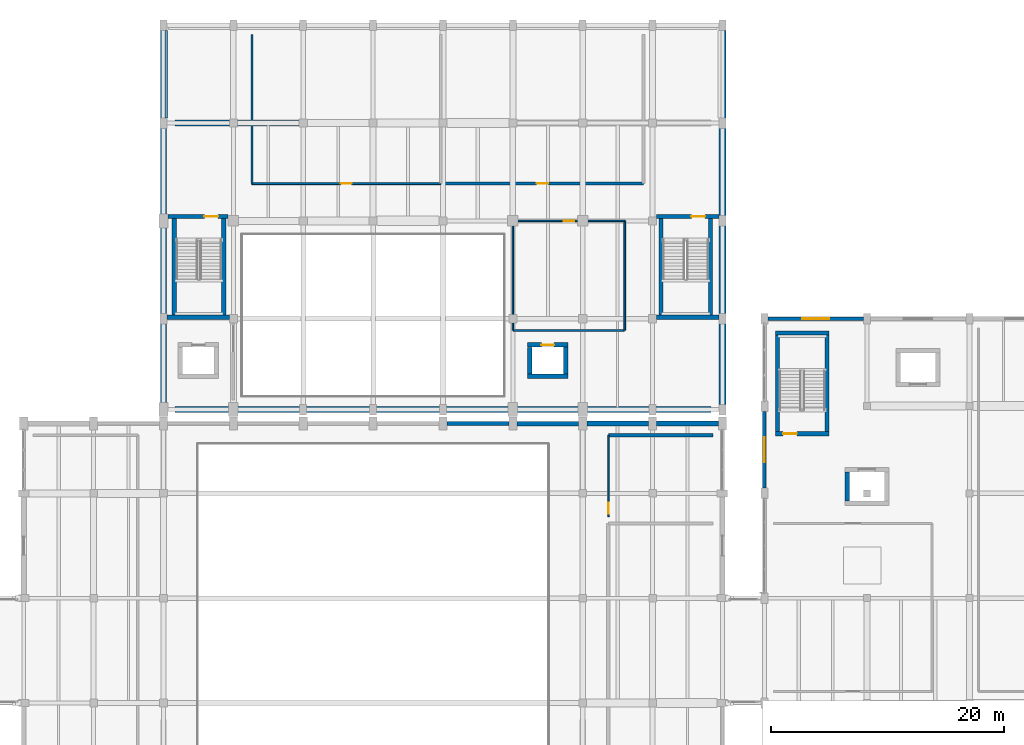
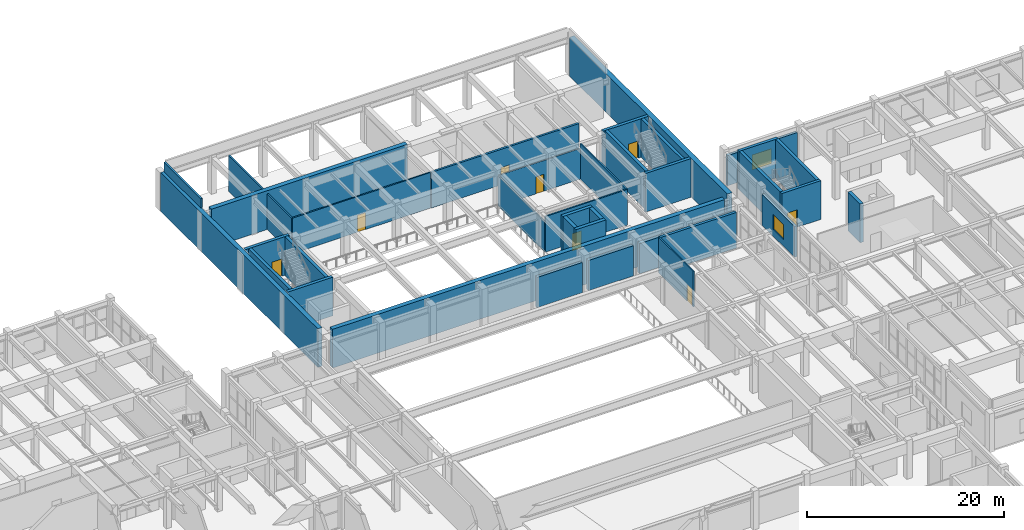
# One storey, part 65 of 85: 37 walls, 8 doors, 2 windows, 10 openings.
"""IFC4 building model written with IfcOpenShell, lengths in metres."""

from ifc_helpers import new_model, si_unit, direction, frame, frame_2d, origin, place, context, subcontext, project, spatial, rectangle, extrude, material, layer, layer_set, type_object, element, fill, save


model = new_model("IFC4")

# Units and contexts
model_context = context("Model", 3, precision=1e-05, world=origin(), true_north=direction((0.0, 1.0)))
body_context = subcontext(model_context, "Body", "Model", "MODEL_VIEW")
ifc_project = project(units=[si_unit("LENGTHUNIT", "METRE"), si_unit("AREAUNIT", "SQUARE_METRE"), si_unit("VOLUMEUNIT", "CUBIC_METRE"), si_unit("PLANEANGLEUNIT", "RADIAN"), si_unit("MASSUNIT", "GRAM", prefix="KILO")], contexts=[model_context])

# Site, building, storey
site_placement = place(None, origin())
site = spatial("IfcSite", under=ifc_project, at=site_placement, CompositionType="ELEMENT")
building_placement = place(site_placement, origin())
building = spatial("IfcBuilding", under=site, at=building_placement, Name="Vaelkrest Opera House", CompositionType="ELEMENT")
storey_placement = place(building_placement, frame((0.0, 0.0, 10.199951171875)))
storey = spatial("IfcBuildingStorey", under=building, at=storey_placement, Name="L02", CompositionType="ELEMENT", Elevation=10.199951171875)

# Wall, opening, window
ifc_material_1 = material(Name="Douglas fir glulam GL28h", Category="wood")
ifc_layer_1 = layer(ifc_material_1, 0.294921875)
ifc_layer_set_1 = layer_set([ifc_layer_1], Name="Douglas fir glulam GL28h")
wall_type_1 = type_object("IfcWallType", Name="EW03", PredefinedType="STANDARD", material=ifc_layer_set_1)
wall_1_placement = place(storey_placement, frame((33.60009765625, 10.64794921875, 0.0), z_axis=(0.0, 0.0, 1.0), x_axis=(0.0, 1.0, 0.0)))
wall_1 = element("IfcWall", 1, at=wall_1_placement, inside=storey, type_object=wall_type_1, Name="Exterior facade wall EW-V4-L02-0253", PredefinedType="STANDARD", context=body_context, shape_type="SweptSolid", body=[
    extrude(rectangle(XDim=6.60400390625, YDim=0.294921875, at=frame_2d((3.302001953125, 0.0))), origin(), (0.0, 0.0, 1.0), 3.8291015625),
])
opening_1_placement = place(wall_1_placement, frame((2.22705078125, 0.0, 0.85009765625)))
opening_1 = element("IfcOpeningElement", 2, at=opening_1_placement, cuts=wall_1, Name="Opening WN138", PredefinedType="OPENING", context=body_context, shape_type="SweptSolid", body=[
    extrude(rectangle(XDim=2.14990234375, YDim=1.85009765625, at=frame_2d((1.074951171875, 0.925048828125))), frame((0.0, 0.157470703125, 0.0), z_axis=(0.0, -1.0, 0.0), x_axis=(1.0, 0.0, 0.0)), (0.0, 0.0, 1.0), 0.31494140625),
])
ifc_material_2 = material(Name="Double low-E insulated glazing", Category="glass")
window_type_1 = type_object("IfcWindowType", Name="WT08", PartitioningType="SINGLE_PANEL", PredefinedType="WINDOW", material=ifc_material_2)
window_1_placement = place(opening_1_placement, origin())
window_1 = element("IfcWindow", 3, at=window_1_placement, inside=storey, type_object=window_type_1, Name="Facade window WN138", OverallHeight=1.85009765625, OverallWidth=2.14990234375, PartitioningType="SINGLE_PANEL", PredefinedType="WINDOW", context=body_context, shape_type="SweptSolid", body=[
    extrude(rectangle(XDim=2.14990234375, YDim=1.85009765625, at=frame_2d((1.074951171875, 0.925048828125))), frame((0.0, 0.030029296875, 0.0), z_axis=(0.0, -1.0, 0.0), x_axis=(1.0, 0.0, 0.0)), (0.0, 0.0, 1.0), 0.06005859375),
])
fill(opening_1, window_1)

ifc_material_3 = material(Name="American black walnut acoustic timber", Category="wood")
ifc_layer_2 = layer(ifc_material_3, 0.31494140625)
ifc_layer_set_2 = layer_set([ifc_layer_2], Name="American black walnut acoustic timber")
wall_type_2 = type_object("IfcWallType", Name="EW04", PredefinedType="STANDARD", material=ifc_layer_set_2)
wall_2_placement = place(storey_placement, frame((33.89794921875, 25.199951171875, 0.0), z_axis=(0.0, 0.0, 1.0), x_axis=(1.0, 0.0, 0.0)))
wall_2 = element("IfcWall", 4, at=wall_2_placement, inside=storey, type_object=wall_type_2, Name="Exterior facade wall EW-V4-L02-0254", PredefinedType="STANDARD", context=body_context, shape_type="SweptSolid", body=[
    extrude(rectangle(XDim=8.2041015625, YDim=0.31494140625, at=frame_2d((4.10205078125, 0.0))), origin(), (0.0, 0.0, 1.0), 3.7451171875),
])
opening_2_placement = place(wall_2_placement, frame((2.951904296875, 0.0, 0.85009765625)))
opening_2 = element("IfcOpeningElement", 5, at=opening_2_placement, cuts=wall_2, Name="Opening WN139", PredefinedType="OPENING", context=body_context, shape_type="SweptSolid", body=[
    extrude(rectangle(XDim=2.300048828125, YDim=1.85009765625, at=frame_2d((1.14990234375, 0.925048828125))), frame((0.0, 0.16748046875, 0.0), z_axis=(0.0, -1.0, 0.0), x_axis=(1.0, 0.0, 0.0)), (0.0, 0.0, 1.0), 0.3349609375),
])
window_type_2 = type_object("IfcWindowType", Name="WT09", PartitioningType="SINGLE_PANEL", PredefinedType="WINDOW", material=ifc_material_2)
window_2_placement = place(opening_2_placement, origin())
window_2 = element("IfcWindow", 6, at=window_2_placement, inside=storey, type_object=window_type_2, Name="Facade window WN139", OverallHeight=1.85009765625, OverallWidth=2.300048828125, PartitioningType="SINGLE_PANEL", PredefinedType="WINDOW", context=body_context, shape_type="SweptSolid", body=[
    extrude(rectangle(XDim=2.300048828125, YDim=1.85009765625, at=frame_2d((1.14990234375, 0.925048828125))), frame((0.0, 0.030029296875, 0.0), z_axis=(0.0, -1.0, 0.0), x_axis=(1.0, 0.0, 0.0)), (0.0, 0.0, 1.0), 0.06005859375),
])
fill(opening_2, window_2)

# Walls
ifc_layer_3 = layer(ifc_material_3, 0.360107421875)
ifc_layer_set_3 = layer_set([ifc_layer_3], Name="American black walnut acoustic timber")
wall_type_3 = type_object("IfcWallType", Name="EW06", PredefinedType="STANDARD", material=ifc_layer_set_3)
wall_3_placement = place(storey_placement, frame((6.347900390625, 16.199951171875, 0.0), z_axis=(0.0, 0.0, 1.0), x_axis=(1.0, 0.0, 0.0)))
element("IfcWall", 7, at=wall_3_placement, inside=storey, type_object=wall_type_3, Name="Exterior facade wall EW-V1-L02-0066", PredefinedType="STANDARD", context=body_context, shape_type="SweptSolid", body=[
    extrude(rectangle(XDim=5.30419921875, YDim=0.360107421875, at=frame_2d((2.652099609375, 0.0))), origin(), (0.0, 0.0, 1.0), 3.7451171875),
])
ifc_material_4 = material(Name="Concrete C40/50", Category="concrete")
ifc_layer_4 = layer(ifc_material_4, 0.385009765625)
ifc_layer_set_4 = layer_set([ifc_layer_4], Name="Concrete C40/50")
wall_type_4 = type_object("IfcWallType", Name="EW07", PredefinedType="STANDARD", material=ifc_layer_set_4)
wall_4_placement = place(storey_placement, frame((12.347900390625, 16.199951171875, 0.0), z_axis=(0.0, 0.0, 1.0), x_axis=(1.0, 0.0, 0.0)))
element("IfcWall", 8, at=wall_4_placement, inside=storey, type_object=wall_type_4, Name="Exterior facade wall EW-V1-L02-0067", PredefinedType="STANDARD", context=body_context, shape_type="SweptSolid", body=[
    extrude(rectangle(XDim=5.30419921875, YDim=0.385009765625, at=frame_2d((2.652099609375, 0.0))), origin(), (0.0, 0.0, 1.0), 3.7451171875),
])
ifc_layer_5 = layer(ifc_material_4, 0.409912109375)
ifc_layer_set_5 = layer_set([ifc_layer_5], Name="Concrete C40/50")
wall_type_5 = type_object("IfcWallType", Name="EW08", PredefinedType="STANDARD", material=ifc_layer_set_5)
wall_5_placement = place(storey_placement, frame((18.347900390625, 16.199951171875, 0.0), z_axis=(0.0, 0.0, 1.0), x_axis=(1.0, 0.0, 0.0)))
element("IfcWall", 9, at=wall_5_placement, inside=storey, type_object=wall_type_5, Name="Exterior facade wall EW-V1-L02-0068", PredefinedType="STANDARD", context=body_context, shape_type="SweptSolid", body=[
    extrude(rectangle(XDim=5.30419921875, YDim=0.409912109375, at=frame_2d((2.652099609375, 0.0))), origin(), (0.0, 0.0, 1.0), 3.7451171875),
])
ifc_layer_6 = layer(ifc_material_4, 0.43505859375)
ifc_layer_set_6 = layer_set([ifc_layer_6], Name="Concrete C40/50")
wall_type_6 = type_object("IfcWallType", Name="EW09", PredefinedType="STANDARD", material=ifc_layer_set_6)
wall_6_placement = place(storey_placement, frame((24.347900390625, 16.199951171875, 0.0), z_axis=(0.0, 0.0, 1.0), x_axis=(1.0, 0.0, 0.0)))
element("IfcWall", 10, at=wall_6_placement, inside=storey, type_object=wall_type_6, Name="Exterior facade wall EW-V1-L02-0069", PredefinedType="STANDARD", context=body_context, shape_type="SweptSolid", body=[
    extrude(rectangle(XDim=5.30419921875, YDim=0.43505859375, at=frame_2d((2.652099609375, 0.0))), origin(), (0.0, 0.0, 1.0), 3.7451171875),
])
ifc_layer_7 = layer(ifc_material_4, 0.22998046875)
ifc_layer_set_7 = layer_set([ifc_layer_7], Name="Concrete C40/50")
wall_type_7 = type_object("IfcWallType", Name="PP02", PredefinedType="PARAPET", material=ifc_layer_set_7)
wall_7_placement = place(storey_placement, frame((-17.75, 49.949951171875, 4.800048828125), z_axis=(0.0, 0.0, 1.0), x_axis=(0.0, -1.0, 0.0)))
element("IfcWall", 11, at=wall_7_placement, inside=storey, type_object=wall_type_7, Name="Roof parapet 22", PredefinedType="PARAPET", context=body_context, shape_type="SweptSolid", body=[
    extrude(rectangle(XDim=7.5, YDim=0.22998046875, at=frame_2d((3.75, 0.0))), origin(), (0.0, 0.0, 1.0), 1.14990234375),
])

# Wall, opening, door
ifc_material_5 = material(Name="Gypsum acoustic board", Category="gypsum")
ifc_layer_8 = layer(ifc_material_5, 0.1201171875)
ifc_layer_set_8 = layer_set([ifc_layer_8], Name="Gypsum acoustic board")
wall_type_8 = type_object("IfcWallType", Name="PT01", PredefinedType="PARTITIONING", material=ifc_layer_set_8)
wall_8_placement = place(storey_placement, frame((12.0, 33.60009765625, 0.0), z_axis=(0.0, 0.0, 1.0), x_axis=(1.0, 0.0, 0.0)))
wall_8 = element("IfcWall", 12, at=wall_8_placement, inside=storey, type_object=wall_type_8, Name="Interior partition PT-V2-L02-0197", PredefinedType="PARTITIONING", context=body_context, shape_type="SweptSolid", body=[
    extrude(rectangle(XDim=9.60009765625, YDim=0.1201171875, at=frame_2d((4.800048828125, 0.0))), origin(), (0.0, 0.0, 1.0), 3.81201171875),
])
opening_3_placement = place(wall_8_placement, frame((4.35009765625, 0.0, 0.0)))
opening_3 = element("IfcOpeningElement", 13, at=opening_3_placement, cuts=wall_8, Name="Opening D076", PredefinedType="OPENING", context=body_context, shape_type="SweptSolid", body=[
    extrude(rectangle(XDim=0.89990234375, YDim=2.10009765625, at=frame_2d((0.449951171875, 1.050048828125))), frame((0.0, 0.070068359375, 0.0), z_axis=(0.0, -1.0, 0.0), x_axis=(1.0, 0.0, 0.0)), (0.0, 0.0, 1.0), 0.14013671875),
])
door_type_1 = type_object("IfcDoorType", Name="DT01", OperationType="NOTDEFINED", PredefinedType="DOOR", material=ifc_material_3)
door_1_placement = place(opening_3_placement, origin())
door_1 = element("IfcDoor", 14, at=door_1_placement, inside=storey, type_object=door_type_1, Name="Interior door D076 (Lighting Bridge)", OperationType="SINGLE_SWING_RIGHT", OverallHeight=2.10009765625, OverallWidth=0.89990234375, PredefinedType="DOOR", context=body_context, shape_type="SweptSolid", body=[
    extrude(rectangle(XDim=0.89990234375, YDim=2.10009765625, at=frame_2d((0.449951171875, 1.050048828125))), frame((0.0, 0.02490234375, 0.0), z_axis=(0.0, -1.0, 0.0), x_axis=(1.0, 0.0, 0.0)), (0.0, 0.0, 1.0), 0.050048828125),
])
fill(opening_3, door_1)

# Walls
ifc_layer_9 = layer(ifc_material_5, 0.135009765625)
ifc_layer_set_9 = layer_set([ifc_layer_9], Name="Gypsum acoustic board")
wall_type_9 = type_object("IfcWallType", Name="PT02", PredefinedType="PARTITIONING", material=ifc_layer_set_9)
wall_9_placement = place(storey_placement, frame((12.0, 24.199951171875, 0.0), z_axis=(0.0, 0.0, 1.0), x_axis=(0.0, 1.0, 0.0)))
element("IfcWall", 15, at=wall_9_placement, inside=storey, type_object=wall_type_9, Name="Interior partition PT-V2-L02-0198", PredefinedType="PARTITIONING", context=body_context, shape_type="SweptSolid", body=[
    extrude(rectangle(XDim=9.400146484375, YDim=0.135009765625, at=frame_2d((4.7001953125, 0.0))), origin(), (0.0, 0.0, 1.0), 3.734130859375),
])
ifc_layer_10 = layer(ifc_material_5, 0.14990234375)
ifc_layer_set_10 = layer_set([ifc_layer_10], Name="Gypsum acoustic board")
wall_type_10 = type_object("IfcWallType", Name="PT03", PredefinedType="PARTITIONING", material=ifc_layer_set_10)
wall_10_placement = place(storey_placement, frame((21.60009765625, 24.199951171875, 0.0), z_axis=(0.0, 0.0, 1.0), x_axis=(0.0, 1.0, 0.0)))
element("IfcWall", 16, at=wall_10_placement, inside=storey, type_object=wall_type_10, Name="Interior partition PT-V2-L02-0199", PredefinedType="PARTITIONING", context=body_context, shape_type="SweptSolid", body=[
    extrude(rectangle(XDim=9.400146484375, YDim=0.14990234375, at=frame_2d((4.7001953125, 0.0))), origin(), (0.0, 0.0, 1.0), 4.420166015625),
])

# Wall, opening, door
ifc_layer_11 = layer(ifc_material_5, 0.1650390625)
ifc_layer_set_11 = layer_set([ifc_layer_11], Name="Gypsum acoustic board")
wall_type_11 = type_object("IfcWallType", Name="PT04", PredefinedType="PARTITIONING", material=ifc_layer_set_11)
wall_11_placement = place(storey_placement, frame((-10.39990234375, 36.800048828125, 0.0), z_axis=(0.0, 0.0, 1.0), x_axis=(1.0, 0.0, 0.0)))
wall_11 = element("IfcWall", 17, at=wall_11_placement, inside=storey, type_object=wall_type_11, Name="Interior partition PT-V2-L02-0200", PredefinedType="PARTITIONING", context=body_context, shape_type="SweptSolid", body=[
    extrude(rectangle(XDim=16.199951171875, YDim=0.1650390625, at=frame_2d((8.10009765625, 0.0))), origin(), (0.0, 0.0, 1.0), 4.420166015625),
])
opening_4_placement = place(wall_11_placement, frame((7.6298828125, 0.0, 0.0)))
opening_4 = element("IfcOpeningElement", 18, at=opening_4_placement, cuts=wall_11, Name="Opening D077", PredefinedType="OPENING", context=body_context, shape_type="SweptSolid", body=[
    extrude(rectangle(XDim=0.93994140625, YDim=2.10009765625, at=frame_2d((0.469970703125, 1.050048828125))), frame((0.0, 0.092529296875, 0.0), z_axis=(0.0, -1.0, 0.0), x_axis=(1.0, 0.0, 0.0)), (0.0, 0.0, 1.0), 0.18505859375),
])
door_type_2 = type_object("IfcDoorType", Name="DT02", OperationType="NOTDEFINED", PredefinedType="DOOR", material=ifc_material_3)
door_2_placement = place(opening_4_placement, origin())
door_2 = element("IfcDoor", 19, at=door_2_placement, inside=storey, type_object=door_type_2, Name="Interior door D077 (Rigging Control Room)", OperationType="SINGLE_SWING_LEFT", OverallHeight=2.10009765625, OverallWidth=0.93994140625, PredefinedType="DOOR", context=body_context, shape_type="SweptSolid", body=[
    extrude(rectangle(XDim=0.93994140625, YDim=2.10009765625, at=frame_2d((0.469970703125, 1.050048828125))), frame((0.0, 0.02490234375, 0.0), z_axis=(0.0, -1.0, 0.0), x_axis=(1.0, 0.0, 0.0)), (0.0, 0.0, 1.0), 0.050048828125),
])
fill(opening_4, door_2)

# Wall
ifc_layer_12 = layer(ifc_material_5, 0.179931640625)
ifc_layer_set_12 = layer_set([ifc_layer_12], Name="Gypsum acoustic board")
wall_type_12 = type_object("IfcWallType", Name="PT05", PredefinedType="PARTITIONING", material=ifc_layer_set_12)
wall_12_placement = place(storey_placement, frame((-10.39990234375, 36.800048828125, 0.0), z_axis=(0.0, 0.0, 1.0), x_axis=(0.0, 1.0, 0.0)))
element("IfcWall", 20, at=wall_12_placement, inside=storey, type_object=wall_type_12, Name="Interior partition PT-V2-L02-0201", PredefinedType="PARTITIONING", context=body_context, shape_type="SweptSolid", body=[
    extrude(rectangle(XDim=12.800048828125, YDim=0.179931640625, at=frame_2d((6.39990234375, 0.0))), origin(), (0.0, 0.0, 1.0), 4.420166015625),
])

# Wall, opening, door
ifc_layer_13 = layer(ifc_material_4, 0.239990234375)
ifc_layer_set_13 = layer_set([ifc_layer_13], Name="Concrete C40/50")
wall_type_13 = type_object("IfcWallType", Name="PT09", PredefinedType="PARTITIONING", material=ifc_layer_set_13)
wall_13_placement = place(storey_placement, frame((5.8798828125, 36.800048828125, 0.0), z_axis=(0.0, 0.0, 1.0), x_axis=(1.0, 0.0, 0.0)))
wall_13 = element("IfcWall", 21, at=wall_13_placement, inside=storey, type_object=wall_type_13, Name="Interior partition PT-V2-L02-0203", PredefinedType="PARTITIONING", context=body_context, shape_type="SweptSolid", body=[
    extrude(rectangle(XDim=17.320068359375, YDim=0.239990234375, at=frame_2d((8.66015625, 0.0))), origin(), (0.0, 0.0, 1.0), 4.420166015625),
])
opening_5_placement = place(wall_13_placement, frame((8.169921875, 0.0, 0.0)))
opening_5 = element("IfcOpeningElement", 22, at=opening_5_placement, cuts=wall_13, Name="Opening D078", PredefinedType="OPENING", context=body_context, shape_type="SweptSolid", body=[
    extrude(rectangle(XDim=0.97998046875, YDim=2.14990234375, at=frame_2d((0.489990234375, 1.074951171875))), frame((0.0, 0.1298828125, 0.0), z_axis=(0.0, -1.0, 0.0), x_axis=(1.0, 0.0, 0.0)), (0.0, 0.0, 1.0), 0.260009765625),
])
door_type_3 = type_object("IfcDoorType", Name="DT03", OperationType="NOTDEFINED", PredefinedType="DOOR", material=ifc_material_3)
door_3_placement = place(opening_5_placement, origin())
door_3 = element("IfcDoor", 23, at=door_3_placement, inside=storey, type_object=door_type_3, Name="Interior door D078 (Scenery Store)", OperationType="SINGLE_SWING_RIGHT", OverallHeight=2.14990234375, OverallWidth=0.97998046875, PredefinedType="DOOR", context=body_context, shape_type="SweptSolid", body=[
    extrude(rectangle(XDim=0.97998046875, YDim=2.14990234375, at=frame_2d((0.489990234375, 1.074951171875))), frame((0.0, 0.02490234375, 0.0), z_axis=(0.0, -1.0, 0.0), x_axis=(1.0, 0.0, 0.0)), (0.0, 0.0, 1.0), 0.050048828125),
])
fill(opening_5, door_3)

# Wall
ifc_layer_14 = layer(ifc_material_4, 0.304931640625)
ifc_layer_set_14 = layer_set([ifc_layer_14], Name="Concrete C40/50")
wall_type_14 = type_object("IfcWallType", Name="PT12", PredefinedType="PARTITIONING", material=ifc_layer_set_14)
wall_14_placement = place(storey_placement, frame((20.199951171875, 15.199951171875, 0.0), z_axis=(0.0, 0.0, 1.0), x_axis=(1.0, 0.0, 0.0)))
element("IfcWall", 24, at=wall_14_placement, inside=storey, type_object=wall_type_14, Name="Interior partition PT-V1-L02-0082", PredefinedType="PARTITIONING", context=body_context, shape_type="SweptSolid", body=[
    extrude(rectangle(XDim=9.0, YDim=0.304931640625, at=frame_2d((4.5, 0.0))), origin(), (0.0, 0.0, 1.0), 4.420166015625),
])

# Wall, opening, door
ifc_layer_15 = layer(ifc_material_5, 0.14501953125)
ifc_layer_set_15 = layer_set([ifc_layer_15], Name="Gypsum acoustic board")
wall_type_15 = type_object("IfcWallType", Name="PT13", PredefinedType="PARTITIONING", material=ifc_layer_set_15)
wall_15_placement = place(storey_placement, frame((20.199951171875, 8.199951171875, 0.0), z_axis=(0.0, 0.0, 1.0), x_axis=(0.0, 1.0, 0.0)))
wall_15 = element("IfcWall", 25, at=wall_15_placement, inside=storey, type_object=wall_type_15, Name="Interior partition PT-V1-L02-0083", PredefinedType="PARTITIONING", context=body_context, shape_type="SweptSolid", body=[
    extrude(rectangle(XDim=7.0, YDim=0.14501953125, at=frame_2d((3.5, 0.0))), origin(), (0.0, 0.0, 1.0), 4.420166015625),
])
opening_6_placement = place(wall_15_placement, frame((0.25, 0.0, 0.0)))
opening_6 = element("IfcOpeningElement", 26, at=opening_6_placement, cuts=wall_15, Name="Opening D032", PredefinedType="OPENING", context=body_context, shape_type="SweptSolid", body=[
    extrude(rectangle(XDim=0.93994140625, YDim=2.10009765625, at=frame_2d((0.469970703125, 1.050048828125))), frame((0.0, 0.08251953125, 0.0), z_axis=(0.0, -1.0, 0.0), x_axis=(1.0, 0.0, 0.0)), (0.0, 0.0, 1.0), 0.1650390625),
])
door_4_placement = place(opening_6_placement, origin())
door_4 = element("IfcDoor", 27, at=door_4_placement, inside=storey, type_object=door_type_2, Name="Interior door D032 (Accessible Washroom)", OperationType="SINGLE_SWING_RIGHT", OverallHeight=2.10009765625, OverallWidth=0.93994140625, PredefinedType="DOOR", context=body_context, shape_type="SweptSolid", body=[
    extrude(rectangle(XDim=0.93994140625, YDim=2.10009765625, at=frame_2d((0.469970703125, 1.050048828125))), frame((0.0, 0.02490234375, 0.0), z_axis=(0.0, -1.0, 0.0), x_axis=(1.0, 0.0, 0.0)), (0.0, 0.0, 1.0), 0.050048828125),
])
fill(opening_6, door_4)

# Walls
ifc_layer_16 = layer(ifc_material_3, 0.175048828125)
ifc_layer_set_16 = layer_set([ifc_layer_16], Name="American black walnut acoustic timber")
wall_type_16 = type_object("IfcWallType", Name="PT14", PredefinedType="PARTITIONING", material=ifc_layer_set_16)
wall_16_placement = place(storey_placement, frame((12.0, 24.199951171875, 0.0), z_axis=(0.0, 0.0, 1.0), x_axis=(1.0, 0.0, 0.0)))
element("IfcWall", 28, at=wall_16_placement, inside=storey, type_object=wall_type_16, Name="Interior partition PT-V2-L02-0196", PredefinedType="PARTITIONING", context=body_context, shape_type="SweptSolid", body=[
    extrude(rectangle(XDim=9.60009765625, YDim=0.175048828125, at=frame_2d((4.800048828125, 0.0))), origin(), (0.0, 0.0, 1.0), 4.420166015625),
])
ifc_material_6 = material(Name="Concrete C50/60", Category="concrete")
ifc_layer_17 = layer(ifc_material_6, 0.35009765625)
ifc_layer_set_17 = layer_set([ifc_layer_17], Name="Concrete C50/60")
wall_type_17 = type_object("IfcWallType", Name="SW01", PredefinedType="SHEAR", material=ifc_layer_set_17)
wall_17_placement = place(storey_placement, frame((-12.35009765625, 25.324951171875, 0.0), z_axis=(0.0, 0.0, 1.0), x_axis=(-1.0, 0.0, 0.0)))
element("IfcWall", 29, at=wall_17_placement, inside=storey, type_object=wall_type_17, Name="Stair core ST05 wall L02 S", PredefinedType="SHEAR", context=body_context, shape_type="SweptSolid", body=[
    extrude(rectangle(XDim=5.349853515625, YDim=0.35009765625, at=frame_2d((2.6748046875, 0.0))), origin(), (0.0, 0.0, 1.0), 4.800048828125),
])
wall_18_placement = place(storey_placement, frame((-17.074951171875, 25.5, 0.0), z_axis=(0.0, 0.0, 1.0), x_axis=(0.0, 1.0, 0.0)))
element("IfcWall", 30, at=wall_18_placement, inside=storey, type_object=wall_type_17, Name="Stair core ST05 wall L02 W", PredefinedType="SHEAR", context=body_context, shape_type="SweptSolid", body=[
    extrude(rectangle(XDim=8.300048828125, YDim=0.35009765625, at=frame_2d((4.14990234375, 0.0))), origin(), (0.0, 0.0, 1.0), 4.800048828125),
])

# Wall, opening, door
wall_19_placement = place(storey_placement, frame((-17.60009765625, 33.97509765625, 0.0), z_axis=(0.0, 0.0, 1.0), x_axis=(1.0, 0.0, 0.0)))
wall_19 = element("IfcWall", 31, at=wall_19_placement, inside=storey, type_object=wall_type_17, Name="Stair core ST05 wall L02 N", PredefinedType="SHEAR", context=body_context, shape_type="SweptSolid", body=[
    extrude(rectangle(XDim=5.150146484375, YDim=0.35009765625, at=frame_2d((2.5751953125, 0.0))), origin(), (0.0, 0.0, 1.0), 4.800048828125),
])
opening_7_placement = place(wall_19_placement, frame((3.1201171875, 0.0, 0.0)))
opening_7 = element("IfcOpeningElement", 32, at=opening_7_placement, cuts=wall_19, Name="Opening SD-ST05-L02", PredefinedType="OPENING", context=body_context, shape_type="SweptSolid", body=[
    extrude(rectangle(XDim=1.179931640625, YDim=2.14990234375, at=frame_2d((0.58984375, 1.074951171875))), frame((0.0, 0.18505859375, 0.0), z_axis=(0.0, -1.0, 0.0), x_axis=(1.0, 0.0, 0.0)), (0.0, 0.0, 1.0), 0.3701171875),
])
door_type_4 = type_object("IfcDoorType", Name="DT07", OperationType="NOTDEFINED", PredefinedType="DOOR", material=ifc_material_3)
door_5_placement = place(opening_7_placement, origin())
door_5 = element("IfcDoor", 33, at=door_5_placement, inside=storey, type_object=door_type_4, Name="Protected stair door SD-ST05-L02", OperationType="SINGLE_SWING_LEFT", OverallHeight=2.14990234375, OverallWidth=1.179931640625, PredefinedType="DOOR", context=body_context, shape_type="SweptSolid", body=[
    extrude(rectangle(XDim=1.179931640625, YDim=2.14990234375, at=frame_2d((0.58984375, 1.074951171875))), frame((0.0, 0.02490234375, 0.0), z_axis=(0.0, -1.0, 0.0), x_axis=(1.0, 0.0, 0.0)), (0.0, 0.0, 1.0), 0.050048828125),
])
fill(opening_7, door_5)

# Walls
wall_20_placement = place(storey_placement, frame((-12.824951171875, 33.800048828125, 0.0), z_axis=(0.0, 0.0, 1.0), x_axis=(0.0, -1.0, 0.0)))
element("IfcWall", 34, at=wall_20_placement, inside=storey, type_object=wall_type_17, Name="Stair core ST05 wall L02 E", PredefinedType="SHEAR", context=body_context, shape_type="SweptSolid", body=[
    extrude(rectangle(XDim=8.300048828125, YDim=0.35009765625, at=frame_2d((4.14990234375, 0.0))), origin(), (0.0, 0.0, 1.0), 4.800048828125),
])
wall_21_placement = place(storey_placement, frame((29.699951171875, 25.324951171875, 0.0), z_axis=(0.0, 0.0, 1.0), x_axis=(-1.0, 0.0, 0.0)))
element("IfcWall", 35, at=wall_21_placement, inside=storey, type_object=wall_type_17, Name="Stair core ST06 wall L02 S", PredefinedType="SHEAR", context=body_context, shape_type="SweptSolid", body=[
    extrude(rectangle(XDim=5.349853515625, YDim=0.35009765625, at=frame_2d((2.6748046875, 0.0))), origin(), (0.0, 0.0, 1.0), 4.800048828125),
])
wall_22_placement = place(storey_placement, frame((24.72509765625, 25.5, 0.0), z_axis=(0.0, 0.0, 1.0), x_axis=(0.0, 1.0, 0.0)))
element("IfcWall", 36, at=wall_22_placement, inside=storey, type_object=wall_type_17, Name="Stair core ST06 wall L02 W", PredefinedType="SHEAR", context=body_context, shape_type="SweptSolid", body=[
    extrude(rectangle(XDim=8.300048828125, YDim=0.35009765625, at=frame_2d((4.14990234375, 0.0))), origin(), (0.0, 0.0, 1.0), 4.800048828125),
])

# Wall, opening, door
wall_23_placement = place(storey_placement, frame((24.35009765625, 33.97509765625, 0.0), z_axis=(0.0, 0.0, 1.0), x_axis=(1.0, 0.0, 0.0)))
wall_23 = element("IfcWall", 37, at=wall_23_placement, inside=storey, type_object=wall_type_17, Name="Stair core ST06 wall L02 N", PredefinedType="SHEAR", context=body_context, shape_type="SweptSolid", body=[
    extrude(rectangle(XDim=5.349853515625, YDim=0.35009765625, at=frame_2d((2.6748046875, 0.0))), origin(), (0.0, 0.0, 1.0), 4.800048828125),
])
opening_8_placement = place(wall_23_placement, frame((2.969970703125, 0.0, 0.0)))
opening_8 = element("IfcOpeningElement", 38, at=opening_8_placement, cuts=wall_23, Name="Opening SD-ST06-L02", PredefinedType="OPENING", context=body_context, shape_type="SweptSolid", body=[
    extrude(rectangle(XDim=1.179931640625, YDim=2.14990234375, at=frame_2d((0.58984375, 1.074951171875))), frame((0.0, 0.18505859375, 0.0), z_axis=(0.0, -1.0, 0.0), x_axis=(1.0, 0.0, 0.0)), (0.0, 0.0, 1.0), 0.3701171875),
])
door_6_placement = place(opening_8_placement, origin())
door_6 = element("IfcDoor", 39, at=door_6_placement, inside=storey, type_object=door_type_4, Name="Protected stair door SD-ST06-L02", OperationType="SINGLE_SWING_RIGHT", OverallHeight=2.14990234375, OverallWidth=1.179931640625, PredefinedType="DOOR", context=body_context, shape_type="SweptSolid", body=[
    extrude(rectangle(XDim=1.179931640625, YDim=2.14990234375, at=frame_2d((0.58984375, 1.074951171875))), frame((0.0, 0.02490234375, 0.0), z_axis=(0.0, -1.0, 0.0), x_axis=(1.0, 0.0, 0.0)), (0.0, 0.0, 1.0), 0.050048828125),
])
fill(opening_8, door_6)

# Wall
wall_24_placement = place(storey_placement, frame((28.97509765625, 33.800048828125, 0.0), z_axis=(0.0, 0.0, 1.0), x_axis=(0.0, -1.0, 0.0)))
element("IfcWall", 40, at=wall_24_placement, inside=storey, type_object=wall_type_17, Name="Stair core ST06 wall L02 E", PredefinedType="SHEAR", context=body_context, shape_type="SweptSolid", body=[
    extrude(rectangle(XDim=8.300048828125, YDim=0.35009765625, at=frame_2d((4.14990234375, 0.0))), origin(), (0.0, 0.0, 1.0), 4.800048828125),
])

# Wall, opening, door
wall_25_placement = place(storey_placement, frame((39.14990234375, 15.324951171875, 0.0), z_axis=(0.0, 0.0, 1.0), x_axis=(-1.0, 0.0, 0.0)))
wall_25 = element("IfcWall", 41, at=wall_25_placement, inside=storey, type_object=wall_type_17, Name="Stair core ST09 wall L02 S", PredefinedType="SHEAR", context=body_context, shape_type="SweptSolid", body=[
    extrude(rectangle(XDim=4.599853515625, YDim=0.35009765625, at=frame_2d((2.2998046875, 0.0))), origin(), (0.0, 0.0, 1.0), 4.800048828125),
])
opening_9_placement = place(wall_25_placement, frame((2.77001953125, 0.0, 0.0)))
opening_9 = element("IfcOpeningElement", 42, at=opening_9_placement, cuts=wall_25, Name="Opening SD-ST09-L02", PredefinedType="OPENING", context=body_context, shape_type="SweptSolid", body=[
    extrude(rectangle(XDim=1.179931640625, YDim=2.14990234375, at=frame_2d((0.58984375, 1.074951171875))), frame((0.0, 0.18505859375, 0.0), z_axis=(0.0, -1.0, 0.0), x_axis=(1.0, 0.0, 0.0)), (0.0, 0.0, 1.0), 0.3701171875),
])
door_7_placement = place(opening_9_placement, origin())
door_7 = element("IfcDoor", 43, at=door_7_placement, inside=storey, type_object=door_type_4, Name="Protected stair door SD-ST09-L02", OperationType="SINGLE_SWING_LEFT", OverallHeight=2.14990234375, OverallWidth=1.179931640625, PredefinedType="DOOR", context=body_context, shape_type="SweptSolid", body=[
    extrude(rectangle(XDim=1.179931640625, YDim=2.14990234375, at=frame_2d((0.58984375, 1.074951171875))), frame((0.0, 0.02490234375, 0.0), z_axis=(0.0, -1.0, 0.0), x_axis=(1.0, 0.0, 0.0)), (0.0, 0.0, 1.0), 0.050048828125),
])
fill(opening_9, door_7)

# Walls
wall_26_placement = place(storey_placement, frame((34.72509765625, 15.5, 0.0), z_axis=(0.0, 0.0, 1.0), x_axis=(0.0, 1.0, 0.0)))
element("IfcWall", 44, at=wall_26_placement, inside=storey, type_object=wall_type_17, Name="Stair core ST09 wall L02 W", PredefinedType="SHEAR", context=body_context, shape_type="SweptSolid", body=[
    extrude(rectangle(XDim=8.300048828125, YDim=0.35009765625, at=frame_2d((4.14990234375, 0.0))), origin(), (0.0, 0.0, 1.0), 4.800048828125),
])
wall_27_placement = place(storey_placement, frame((34.550048828125, 23.97509765625, 0.0), z_axis=(0.0, 0.0, 1.0), x_axis=(1.0, 0.0, 0.0)))
element("IfcWall", 45, at=wall_27_placement, inside=storey, type_object=wall_type_17, Name="Stair core ST09 wall L02 N", PredefinedType="SHEAR", context=body_context, shape_type="SweptSolid", body=[
    extrude(rectangle(XDim=4.599853515625, YDim=0.35009765625, at=frame_2d((2.2998046875, 0.0))), origin(), (0.0, 0.0, 1.0), 4.800048828125),
])
wall_28_placement = place(storey_placement, frame((38.97509765625, 23.800048828125, 0.0), z_axis=(0.0, 0.0, 1.0), x_axis=(0.0, -1.0, 0.0)))
element("IfcWall", 46, at=wall_28_placement, inside=storey, type_object=wall_type_17, Name="Stair core ST09 wall L02 E", PredefinedType="SHEAR", context=body_context, shape_type="SweptSolid", body=[
    extrude(rectangle(XDim=8.300048828125, YDim=0.35009765625, at=frame_2d((4.14990234375, 0.0))), origin(), (0.0, 0.0, 1.0), 4.800048828125),
])
ifc_layer_18 = layer(ifc_material_6, 0.389892578125)
ifc_layer_set_18 = layer_set([ifc_layer_18], Name="Concrete C50/60")
wall_type_18 = type_object("IfcWallType", Name="SW02", PredefinedType="SHEAR", material=ifc_layer_set_18)
wall_29_placement = place(storey_placement, frame((16.739990234375, 20.2548828125, 0.0), z_axis=(0.0, 0.0, 1.0), x_axis=(-1.0, 0.0, 0.0)))
element("IfcWall", 47, at=wall_29_placement, inside=storey, type_object=wall_type_18, Name="Lift shaft LF02 wall L02 S", PredefinedType="SHEAR", context=body_context, shape_type="SweptSolid", body=[
    extrude(rectangle(XDim=3.47998046875, YDim=0.389892578125, at=frame_2d((1.739990234375, 0.0))), origin(), (0.0, 0.0, 1.0), 4.800048828125),
])

# Wall, opening, door
wall_30_placement = place(storey_placement, frame((13.260009765625, 22.945068359375, 0.0), z_axis=(0.0, 0.0, 1.0), x_axis=(1.0, 0.0, 0.0)))
wall_30 = element("IfcWall", 48, at=wall_30_placement, inside=storey, type_object=wall_type_18, Name="Lift shaft LF02 wall L02 N", PredefinedType="SHEAR", context=body_context, shape_type="SweptSolid", body=[
    extrude(rectangle(XDim=3.47998046875, YDim=0.389892578125, at=frame_2d((1.739990234375, 0.0))), origin(), (0.0, 0.0, 1.0), 4.800048828125),
])
opening_10_placement = place(wall_30_placement, frame((1.18994140625, 0.0, 0.0)))
opening_10 = element("IfcOpeningElement", 49, at=opening_10_placement, cuts=wall_30, Name="Opening LD-LF02-L02", PredefinedType="OPENING", context=body_context, shape_type="SweptSolid", body=[
    extrude(rectangle(XDim=1.10009765625, YDim=2.14990234375, at=frame_2d((0.550048828125, 1.074951171875))), frame((0.0, 0.204833984375, 0.0), z_axis=(0.0, -1.0, 0.0), x_axis=(1.0, 0.0, 0.0)), (0.0, 0.0, 1.0), 0.409912109375),
])
ifc_material_7 = material(Name="Dark bronze anodized aluminium", Category="aluminium")
door_type_5 = type_object("IfcDoorType", Name="LDT01", OperationType="SLIDING_TO_LEFT", PredefinedType="DOOR", material=ifc_material_7)
door_8_placement = place(opening_10_placement, origin())
door_8 = element("IfcDoor", 50, at=door_8_placement, inside=storey, type_object=door_type_5, Name="Lift landing sliding door LD-LF02-L02", OperationType="SLIDING_TO_LEFT", OverallHeight=2.14990234375, OverallWidth=1.10009765625, PredefinedType="DOOR", context=body_context, shape_type="SweptSolid", body=[
    extrude(rectangle(XDim=1.10009765625, YDim=2.14990234375, at=frame_2d((0.550048828125, 1.074951171875))), frame((0.0, 0.02490234375, 0.0), z_axis=(0.0, -1.0, 0.0), x_axis=(1.0, 0.0, 0.0)), (0.0, 0.0, 1.0), 0.050048828125),
])
fill(opening_10, door_8)

# Walls
for number, where, z_axis, x_axis, name in (
    (51, (13.455078125, 20.449951171875, 0.0), (0.0, 0.0, 1.0), (0.0, 1.0, 0.0), "Lift shaft LF02 wall L02 W"),
    (52, (16.544921875, 22.75, 0.0), (0.0, 0.0, 1.0), (0.0, -1.0, 0.0), "Lift shaft LF02 wall L02 E"),
):
    element("IfcWall", number, at=place(storey_placement, frame(where, z_axis=z_axis, x_axis=x_axis)), inside=storey, type_object=wall_type_18, Name=name, PredefinedType="SHEAR", context=body_context, shape_type="SweptSolid", body=[
        extrude(rectangle(XDim=2.300048828125, YDim=0.389892578125, at=frame_2d((1.14990234375, 0.0))), origin(), (0.0, 0.0, 1.0), 4.800048828125),
    ])
wall_31_placement = place(storey_placement, frame((40.705078125, 9.550048828125, 0.0), z_axis=(0.0, 0.0, 1.0), x_axis=(0.0, 1.0, 0.0)))
element("IfcWall", 53, at=wall_31_placement, inside=storey, type_object=wall_type_18, Name="Lift shaft LP06 wall L02 W", PredefinedType="SHEAR", context=body_context, shape_type="SweptSolid", body=[
    extrude(rectangle(XDim=2.5, YDim=0.389892578125, at=frame_2d((1.25, 0.0))), origin(), (0.0, 0.0, 1.0), 4.800048828125),
])
ifc_layer_19 = layer(ifc_material_6, 0.52001953125)
ifc_layer_set_19 = layer_set([ifc_layer_19], Name="Concrete C50/60")
wall_type_19 = type_object("IfcWallType", Name="SW04", PredefinedType="SHEAR", material=ifc_layer_set_19)
wall_32_placement = place(storey_placement, frame((-17.0, 42.0, 0.0), z_axis=(0.0, 0.0, 1.0), x_axis=(1.0, 0.0, 0.0)))
element("IfcWall", 54, at=wall_32_placement, inside=storey, type_object=wall_type_19, Name="Fly tower north shear wall L02 W", PredefinedType="SHEAR", context=body_context, shape_type="SweptSolid", body=[
    extrude(rectangle(XDim=23.0, YDim=0.52001953125, at=frame_2d((11.5, 0.0))), origin(), (0.0, 0.0, 1.0), 4.800048828125),
])
wall_33_placement = place(storey_placement, frame((-17.0, 17.39990234375, 0.0), z_axis=(0.0, 0.0, 1.0), x_axis=(1.0, 0.0, 0.0)))
element("IfcWall", 55, at=wall_33_placement, inside=storey, type_object=wall_type_19, Name="Proscenium shear wall L02", PredefinedType="SHEAR", context=body_context, shape_type="SweptSolid", body=[
    extrude(rectangle(XDim=46.0, YDim=0.52001953125, at=frame_2d((23.0, 0.0))), origin(), (0.0, 0.0, 1.0), 4.800048828125),
])
ifc_layer_20 = layer(ifc_material_6, 0.5)
ifc_layer_set_20 = layer_set([ifc_layer_20], Name="Concrete C50/60")
wall_type_20 = type_object("IfcWallType", Name="SW05", PredefinedType="SHEAR", material=ifc_layer_set_20)
wall_34_placement = place(storey_placement, frame((-18.0, 18.0, 0.0), z_axis=(0.0, 0.0, 1.0), x_axis=(0.0, 1.0, 0.0)))
element("IfcWall", 56, at=wall_34_placement, inside=storey, type_object=wall_type_20, Name="Fly tower west shear wall L02", PredefinedType="SHEAR", context=body_context, shape_type="SweptSolid", body=[
    extrude(rectangle(XDim=31.949951171875, YDim=0.5, at=frame_2d((15.97509765625, 0.0))), origin(), (0.0, 0.0, 1.0), 4.800048828125),
])
ifc_layer_21 = layer(ifc_material_6, 0.580078125)
ifc_layer_set_21 = layer_set([ifc_layer_21], Name="Concrete C50/60")
wall_type_21 = type_object("IfcWallType", Name="SW06", PredefinedType="SHEAR", material=ifc_layer_set_21)
wall_35_placement = place(storey_placement, frame((30.0, 17.85009765625, 0.0), z_axis=(0.0, 0.0, 1.0), x_axis=(0.0, 1.0, 0.0)))
element("IfcWall", 57, at=wall_35_placement, inside=storey, type_object=wall_type_21, Name="Fly tower east exterior shear wall L02", PredefinedType="SHEAR", context=body_context, shape_type="SweptSolid", body=[
    extrude(rectangle(XDim=32.099853515625, YDim=0.580078125, at=frame_2d((16.0498046875, 0.0))), origin(), (0.0, 0.0, 1.0), 4.800048828125),
])

save(model, "model.ifc")
